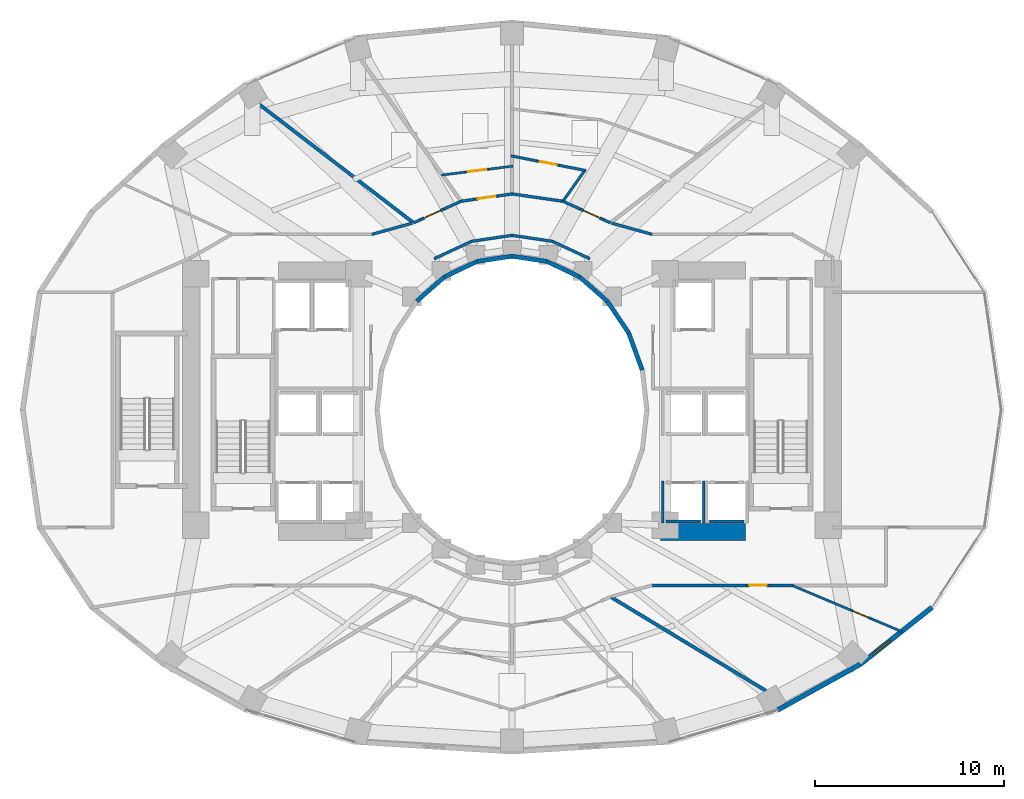
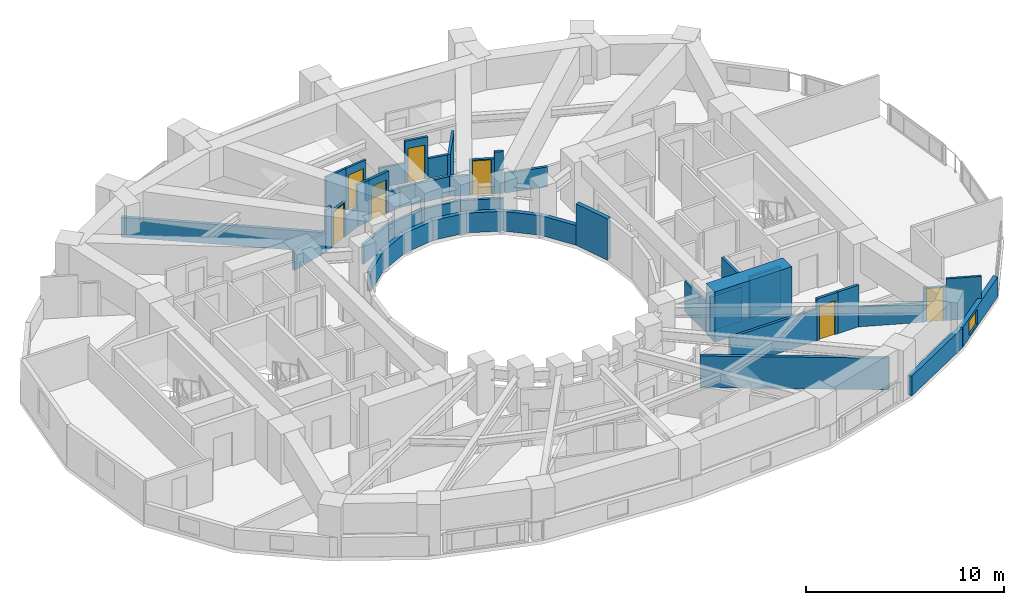
# One storey, part 16 of 22: 46 walls, 7 doors, 1 window, 8 openings.
"""IFC4 building model written with IfcOpenShell, lengths in metres."""

from ifc_helpers import new_model, si_unit, direction, frame, frame_2d, origin, place, context, subcontext, project, spatial, rectangle, extrude, material, layer, layer_set, type_object, element, fill, save


model = new_model("IFC4")

# Units and contexts
model_context = context("Model", 3, precision=1e-05, world=origin(), true_north=direction((0.0, 1.0)))
body_context = subcontext(model_context, "Body", "Model", "MODEL_VIEW")
ifc_project = project(units=[si_unit("LENGTHUNIT", "METRE"), si_unit("AREAUNIT", "SQUARE_METRE"), si_unit("VOLUMEUNIT", "CUBIC_METRE"), si_unit("PLANEANGLEUNIT", "RADIAN"), si_unit("MASSUNIT", "GRAM", prefix="KILO")], contexts=[model_context])

# Site, building, storey
site_placement = place(None, origin())
site = spatial("IfcSite", under=ifc_project, at=site_placement, CompositionType="ELEMENT")
building_placement = place(site_placement, origin())
building = spatial("IfcBuilding", under=site, at=building_placement, Name="Solvane Sanctuary Tower", CompositionType="ELEMENT")
storey_placement = place(building_placement, frame((0.0, 0.0, 43.10009765625)))
storey = spatial("IfcBuildingStorey", under=building, at=storey_placement, Name="L12", CompositionType="ELEMENT", Elevation=43.10009765625)

# Walls
ifc_material_1 = material(Name="Concrete C70/85", Category="concrete")
ifc_layer_1 = layer(ifc_material_1, 0.89990234375, Name="Concrete C70/85")
ifc_layer_set_1 = layer_set([ifc_layer_1], Name="Concrete C70/85")
wall_type_1 = type_object("IfcWallType", Name="Wall W-CORE-900", PredefinedType="SHEAR", material=ifc_layer_set_1)
wall_1_placement = place(storey_placement, frame((39.85009765625, 16.550048828125, 0.0), z_axis=(0.0, 0.0, 1.0), x_axis=(1.0, 0.0, 0.0)))
element("IfcWall", 1, at=wall_1_placement, inside=storey, type_object=wall_type_1, Name="L12 Core Shear Wall EC-S", PredefinedType="SHEAR", context=body_context, shape_type="SweptSolid", body=[
    extrude(rectangle(XDim=4.5, YDim=0.89990234375, at=frame_2d((2.25, 0.0))), origin(), (0.0, 0.0, 1.0), 3.099853515625),
])
ifc_material_2 = material(Name="Acoustic Gypsum Partition Board")
ifc_layer_2 = layer(ifc_material_2, 0.14990234375, Name="Acoustic Gypsum Partition Board")
ifc_layer_set_2 = layer_set([ifc_layer_2], Name="Acoustic Gypsum Partition Board")
wall_type_2 = type_object("IfcWallType", Name="Wall W-CORR-150", PredefinedType="PARTITIONING", material=ifc_layer_set_2)
wall_2_placement = place(storey_placement, frame((36.110107421875, 30.98486328125, 0.0), z_axis=(0.0, 0.0, 1.0), x_axis=(-0.906943449489, 0.421252393975, 0.0)))
element("IfcWall", 2, at=wall_2_placement, inside=storey, type_object=wall_type_2, Name="L12 Light-Well Corridor Rim Wall N1", PredefinedType="PARTITIONING", context=body_context, shape_type="SweptSolid", body=[
    extrude(rectangle(XDim=2.18603515625, YDim=0.14990234375, at=frame_2d((1.093017578125, 0.0))), origin(), (0.0, 0.0, 1.0), 1.219970703125),
])
for number, where, z_axis, x_axis, name in (
    (3, (34.12744140625, 31.90576171875, 0.0), (0.0, 0.0, 1.0), (-0.989268584896, 0.146108408166, 0.0), "L12 Light-Well Corridor Rim Wall N2"),
    (4, (32.0, 32.219970703125, 0.0), (0.0, 0.0, 1.0), (-0.989268584896, -0.146108408166, 0.0), "L12 Light-Well Corridor Rim Wall N3"),
):
    element("IfcWall", number, at=place(storey_placement, frame(where, z_axis=z_axis, x_axis=x_axis)), inside=storey, type_object=wall_type_2, Name=name, PredefinedType="PARTITIONING", context=body_context, shape_type="SweptSolid", body=[
        extrude(rectangle(XDim=2.150634765625, YDim=0.14990234375, at=frame_2d((1.0751953125, 0.0))), origin(), (0.0, 0.0, 1.0), 1.219970703125),
    ])
wall_3_placement = place(storey_placement, frame((29.87255859375, 31.90576171875, 0.0), z_axis=(0.0, 0.0, 1.0), x_axis=(-0.906943449489, -0.421252393975, 0.0)))
element("IfcWall", 5, at=wall_3_placement, inside=storey, type_object=wall_type_2, Name="L12 Light-Well Corridor Rim Wall N4", PredefinedType="PARTITIONING", context=body_context, shape_type="SweptSolid", body=[
    extrude(rectangle(XDim=2.18603515625, YDim=0.14990234375, at=frame_2d((1.093017578125, 0.0))), origin(), (0.0, 0.0, 1.0), 1.219970703125),
])
for number, where, z_axis, x_axis, name in (
    (6, (37.258056640625, 32.86669921875, 0.0), (0.0, 0.0, 1.0), (0.963833843713, -0.266503886865, 0.0), "L12 NE Corner Throat Wall"),
    (7, (26.741943359375, 32.86669921875, 0.0), (0.0, 0.0, 1.0), (-0.963833843713, -0.266503886865, 0.0), "L12 NW Corner Throat Wall"),
):
    element("IfcWall", number, at=place(storey_placement, frame(where, z_axis=z_axis, x_axis=x_axis)), inside=storey, type_object=wall_type_2, Name=name, PredefinedType="PARTITIONING", context=body_context, shape_type="SweptSolid", body=[
        extrude(rectangle(XDim=2.231689453125, YDim=0.14990234375, at=frame_2d((1.11572265625, 0.0))), origin(), (0.0, 0.0, 1.0), 1.219970703125),
    ])
wall_4_placement = place(storey_placement, frame((39.330078125, 13.719970703125, 0.0), z_axis=(0.0, 0.0, 1.0), x_axis=(1.0, 0.0, 0.0)))
element("IfcWall", 8, at=wall_4_placement, inside=storey, type_object=wall_type_2, Name="L12 SE Corner Corridor Wall", PredefinedType="PARTITIONING", context=body_context, shape_type="SweptSolid", body=[
    extrude(rectangle(XDim=5.059814453125, YDim=0.14990234375, at=frame_2d((2.52978515625, 0.0))), origin(), (0.0, 0.0, 1.0), 1.956787109375),
])

# Wall, opening, door
wall_5_placement = place(storey_placement, frame((44.389892578125, 13.719970703125, 0.0), z_axis=(0.0, 0.0, 1.0), x_axis=(1.0, 0.0, 0.0)))
wall_5 = element("IfcWall", 9, at=wall_5_placement, inside=storey, type_object=wall_type_2, Name="L12 SE Corner Corridor Wall", PredefinedType="PARTITIONING", context=body_context, shape_type="SweptSolid", body=[
    extrude(rectangle(XDim=1.22021484375, YDim=0.14990234375, at=frame_2d((0.610107421875, 0.0))), origin(), (0.0, 0.0, 1.0), 2.574951171875),
])
opening_1_placement = place(wall_5_placement, frame((0.159912109375, 0.0, 0.0)))
opening_1 = element("IfcOpeningElement", 10, at=opening_1_placement, cuts=wall_5, Name="Opening D-L12-17", PredefinedType="OPENING", context=body_context, shape_type="SweptSolid", body=[
    extrude(rectangle(XDim=0.89990234375, YDim=2.10009765625, at=frame_2d((0.449951171875, 1.050048828125))), frame((0.0, 0.0849609375, 0.0), z_axis=(0.0, -1.0, 0.0), x_axis=(1.0, 0.0, 0.0)), (0.0, 0.0, 1.0), 0.169921875),
])
ifc_material_3 = material(Name="Engineered Tropical Hardwood", Category="wood")
door_type_1 = type_object("IfcDoorType", Name="Door D-WET-900", OperationType="NOTDEFINED", PredefinedType="DOOR", material=ifc_material_3)
door_1_placement = place(opening_1_placement, origin())
door_1 = element("IfcDoor", 11, at=door_1_placement, inside=storey, type_object=door_type_1, Name="L12 SE Corner Salon Door", OperationType="SINGLE_SWING_LEFT", OverallHeight=2.10009765625, OverallWidth=0.89990234375, PredefinedType="DOOR", context=body_context, shape_type="SweptSolid", body=[
    extrude(rectangle(XDim=0.89990234375, YDim=2.10009765625, at=frame_2d((0.449951171875, 1.050048828125))), frame((0.0, 0.02490234375, 0.0), z_axis=(0.0, -1.0, 0.0), x_axis=(1.0, 0.0, 0.0)), (0.0, 0.0, 1.0), 0.050048828125),
])
fill(opening_1, door_1)

# Walls
wall_6_placement = place(storey_placement, frame((45.610107421875, 13.719970703125, 0.0), z_axis=(0.0, 0.0, 1.0), x_axis=(1.0, 0.0, 0.0)))
element("IfcWall", 12, at=wall_6_placement, inside=storey, type_object=wall_type_2, Name="L12 SE Corner Corridor Wall", PredefinedType="PARTITIONING", context=body_context, shape_type="SweptSolid", body=[
    extrude(rectangle(XDim=1.239990234375, YDim=0.14990234375, at=frame_2d((0.6201171875, 0.0))), origin(), (0.0, 0.0, 1.0), 2.574951171875),
])
wall_7_placement = place(storey_placement, frame((34.743896484375, 34.01416015625, 0.0), z_axis=(0.0, 0.0, 1.0), x_axis=(-0.989761784218, 0.142729150844, 0.0)))
element("IfcWall", 13, at=wall_7_placement, inside=storey, type_object=wall_type_2, Name="L12 En-suite Inner Wall N1", PredefinedType="PARTITIONING", context=body_context, shape_type="SweptSolid", body=[
    extrude(rectangle(XDim=2.822265625, YDim=0.14990234375, at=frame_2d((1.4111328125, 0.0))), origin(), (0.0, 0.0, 1.0), 1.219970703125),
])
wall_8_placement = place(storey_placement, frame((37.211181640625, 32.87744140625, 0.0), z_axis=(0.0, 0.0, 1.0), x_axis=(-0.910580557663, 0.413331644091, 0.0)))
element("IfcWall", 14, at=wall_8_placement, inside=storey, type_object=wall_type_2, Name="L12 Unit Corridor Wall N1", PredefinedType="PARTITIONING", context=body_context, shape_type="SweptSolid", body=[
    extrude(rectangle(XDim=0.468505859375, YDim=0.14990234375, at=frame_2d((0.234375, 0.0))), origin(), (0.0, 0.0, 1.0), 2.574951171875),
])

# Wall, opening, door
wall_9_placement = place(storey_placement, frame((36.78466796875, 33.071044921875, 0.0), z_axis=(0.0, 0.0, 1.0), x_axis=(-0.910491529429, 0.413527719553, 0.0)))
wall_9 = element("IfcWall", 15, at=wall_9_placement, inside=storey, type_object=wall_type_2, Name="L12 Unit Corridor Wall N1", PredefinedType="PARTITIONING", context=body_context, shape_type="SweptSolid", body=[
    extrude(rectangle(XDim=1.27001953125, YDim=0.14990234375, at=frame_2d((0.635009765625, 0.0))), origin(), (0.0, 0.0, 1.0), 2.159912109375),
])
opening_2_placement = place(wall_9_placement, frame((0.159912109375, 0.0, 0.0)))
opening_2 = element("IfcOpeningElement", 16, at=opening_2_placement, cuts=wall_9, Name="Opening D-L12-20", PredefinedType="OPENING", context=body_context, shape_type="SweptSolid", body=[
    extrude(rectangle(XDim=0.949951171875, YDim=2.10009765625, at=frame_2d((0.47509765625, 1.050048828125))), frame((0.0, 0.0849609375, 0.0), z_axis=(0.0, -1.0, 0.0), x_axis=(1.0, 0.0, 0.0)), (0.0, 0.0, 1.0), 0.169921875),
])
door_type_2 = type_object("IfcDoorType", Name="Door D-ROOM-950", OperationType="NOTDEFINED", PredefinedType="DOOR", material=ifc_material_3)
door_2_placement = place(opening_2_placement, origin())
door_2 = element("IfcDoor", 17, at=door_2_placement, inside=storey, type_object=door_type_2, Name="L12 Unit Entrance Door N1", OperationType="SINGLE_SWING_RIGHT", OverallHeight=2.10009765625, OverallWidth=0.949951171875, PredefinedType="DOOR", context=body_context, shape_type="SweptSolid", body=[
    extrude(rectangle(XDim=0.949951171875, YDim=2.10009765625, at=frame_2d((0.47509765625, 1.050048828125))), frame((0.0, 0.02490234375, 0.0), z_axis=(0.0, -1.0, 0.0), x_axis=(1.0, 0.0, 0.0)), (0.0, 0.0, 1.0), 0.050048828125),
])
fill(opening_2, door_2)

# Walls
wall_10_placement = place(storey_placement, frame((35.62841796875, 33.59619140625, 0.0), z_axis=(0.0, 0.0, 1.0), x_axis=(-0.910657491524, 0.413162114831, 0.0)))
element("IfcWall", 18, at=wall_10_placement, inside=storey, type_object=wall_type_2, Name="L12 Unit Corridor Wall N1", PredefinedType="PARTITIONING", context=body_context, shape_type="SweptSolid", body=[
    extrude(rectangle(XDim=1.033447265625, YDim=0.14990234375, at=frame_2d((0.5166015625, 0.0))), origin(), (0.0, 0.0, 1.0), 1.219970703125),
])
wall_11_placement = place(storey_placement, frame((32.00732421875, 34.409912109375, 0.0), z_axis=(0.0, 0.0, 1.0), x_axis=(-0.989795766197, -0.142493302365, 0.0)))
element("IfcWall", 19, at=wall_11_placement, inside=storey, type_object=wall_type_2, Name="L12 Unit Corridor Wall N2", PredefinedType="PARTITIONING", context=body_context, shape_type="SweptSolid", body=[
    extrude(rectangle(XDim=0.7333984375, YDim=0.14990234375, at=frame_2d((0.36669921875, 0.0))), origin(), (0.0, 0.0, 1.0), 1.219970703125),
])

# Wall, opening, door
wall_12_placement = place(storey_placement, frame((31.281494140625, 34.305419921875, 0.0), z_axis=(0.0, 0.0, 1.0), x_axis=(-0.989721405299, -0.14300888047, 0.0)))
wall_12 = element("IfcWall", 20, at=wall_12_placement, inside=storey, type_object=wall_type_2, Name="L12 Unit Corridor Wall N2", PredefinedType="PARTITIONING", context=body_context, shape_type="SweptSolid", body=[
    extrude(rectangle(XDim=1.27001953125, YDim=0.14990234375, at=frame_2d((0.635009765625, 0.0))), origin(), (0.0, 0.0, 1.0), 2.574951171875),
])
opening_3_placement = place(wall_12_placement, frame((0.159912109375, 0.0, 0.0)))
opening_3 = element("IfcOpeningElement", 21, at=opening_3_placement, cuts=wall_12, Name="Opening D-L12-22", PredefinedType="OPENING", context=body_context, shape_type="SweptSolid", body=[
    extrude(rectangle(XDim=0.949951171875, YDim=2.10009765625, at=frame_2d((0.47509765625, 1.050048828125))), frame((0.0, 0.0849609375, 0.0), z_axis=(0.0, -1.0, 0.0), x_axis=(1.0, 0.0, 0.0)), (0.0, 0.0, 1.0), 0.169921875),
])
door_3_placement = place(opening_3_placement, origin())
door_3 = element("IfcDoor", 22, at=door_3_placement, inside=storey, type_object=door_type_2, Name="L12 Unit Entrance Door N2", OperationType="SINGLE_SWING_RIGHT", OverallHeight=2.10009765625, OverallWidth=0.949951171875, PredefinedType="DOOR", context=body_context, shape_type="SweptSolid", body=[
    extrude(rectangle(XDim=0.949951171875, YDim=2.10009765625, at=frame_2d((0.47509765625, 1.050048828125))), frame((0.0, 0.02490234375, 0.0), z_axis=(0.0, -1.0, 0.0), x_axis=(1.0, 0.0, 0.0)), (0.0, 0.0, 1.0), 0.050048828125),
])
fill(opening_3, door_3)

# Walls
wall_13_placement = place(storey_placement, frame((30.0244140625, 34.123779296875, 0.0), z_axis=(0.0, 0.0, 1.0), x_axis=(-0.98974875873, -0.142819447526, 0.0)))
element("IfcWall", 23, at=wall_13_placement, inside=storey, type_object=wall_type_2, Name="L12 Unit Corridor Wall N2", PredefinedType="PARTITIONING", context=body_context, shape_type="SweptSolid", body=[
    extrude(rectangle(XDim=0.7333984375, YDim=0.14990234375, at=frame_2d((0.36669921875, 0.0))), origin(), (0.0, 0.0, 1.0), 2.574951171875),
])
wall_14_placement = place(storey_placement, frame((29.312744140625, 34.023193359375, 0.0), z_axis=(0.0, 0.0, 1.0), x_axis=(-0.910657491524, -0.413162114831, 0.0)))
element("IfcWall", 24, at=wall_14_placement, inside=storey, type_object=wall_type_2, Name="L12 Unit Corridor Wall N3", PredefinedType="PARTITIONING", context=body_context, shape_type="SweptSolid", body=[
    extrude(rectangle(XDim=1.033447265625, YDim=0.14990234375, at=frame_2d((0.5166015625, 0.0))), origin(), (0.0, 0.0, 1.0), 1.219970703125),
])

# Wall, opening, door
wall_15_placement = place(storey_placement, frame((28.37158203125, 33.59619140625, 0.0), z_axis=(0.0, 0.0, 1.0), x_axis=(-0.910491529429, -0.413527719553, 0.0)))
wall_15 = element("IfcWall", 25, at=wall_15_placement, inside=storey, type_object=wall_type_2, Name="L12 Unit Corridor Wall N3", PredefinedType="PARTITIONING", context=body_context, shape_type="SweptSolid", body=[
    extrude(rectangle(XDim=1.27001953125, YDim=0.14990234375, at=frame_2d((0.635009765625, 0.0))), origin(), (0.0, 0.0, 1.0), 2.159912109375),
])
opening_4_placement = place(wall_15_placement, frame((0.159912109375, 0.0, 0.0)))
opening_4 = element("IfcOpeningElement", 26, at=opening_4_placement, cuts=wall_15, Name="Opening D-L12-23", PredefinedType="OPENING", context=body_context, shape_type="SweptSolid", body=[
    extrude(rectangle(XDim=0.949951171875, YDim=2.10009765625, at=frame_2d((0.47509765625, 1.050048828125))), frame((0.0, 0.0849609375, 0.0), z_axis=(0.0, -1.0, 0.0), x_axis=(1.0, 0.0, 0.0)), (0.0, 0.0, 1.0), 0.169921875),
])
door_4_placement = place(opening_4_placement, origin())
door_4 = element("IfcDoor", 27, at=door_4_placement, inside=storey, type_object=door_type_2, Name="L12 Unit Entrance Door N3", OperationType="SINGLE_SWING_LEFT", OverallHeight=2.10009765625, OverallWidth=0.949951171875, PredefinedType="DOOR", context=body_context, shape_type="SweptSolid", body=[
    extrude(rectangle(XDim=0.949951171875, YDim=2.10009765625, at=frame_2d((0.47509765625, 1.050048828125))), frame((0.0, 0.02490234375, 0.0), z_axis=(0.0, -1.0, 0.0), x_axis=(1.0, 0.0, 0.0)), (0.0, 0.0, 1.0), 0.050048828125),
])
fill(opening_4, door_4)

# Walls
wall_16_placement = place(storey_placement, frame((27.21533203125, 33.071044921875, 0.0), z_axis=(0.0, 0.0, 1.0), x_axis=(-0.910580557663, -0.413331644091, 0.0)))
element("IfcWall", 28, at=wall_16_placement, inside=storey, type_object=wall_type_2, Name="L12 Unit Corridor Wall N3", PredefinedType="PARTITIONING", context=body_context, shape_type="SweptSolid", body=[
    extrude(rectangle(XDim=0.468505859375, YDim=0.14990234375, at=frame_2d((0.234375, 0.0))), origin(), (0.0, 0.0, 1.0), 2.574951171875),
])
ifc_material_4 = material(Name="Precast concrete C40/50", Category="concrete")
ifc_layer_3 = layer(ifc_material_4, 0.260009765625, Name="Precast concrete C40/50")
ifc_layer_set_3 = layer_set([ifc_layer_3], Name="Precast concrete C40/50")
wall_type_3 = type_object("IfcWallType", Name="Wall W-EXT-250", PredefinedType="STANDARD", material=ifc_layer_set_3)
wall_17_placement = place(storey_placement, frame((46.0419921875, 7.137939453125, 0.0), z_axis=(0.0, 0.0, 1.0), x_axis=(0.875137303239, 0.483874674352, 0.0)))
element("IfcWall", 29, at=wall_17_placement, inside=storey, type_object=wall_type_3, Name="L12 Ceramic-Printed Facade Wall 20", PredefinedType="STANDARD", context=body_context, shape_type="SweptSolid", body=[
    extrude(rectangle(XDim=4.985107421875, YDim=0.260009765625, at=frame_2d((2.49267578125, 0.0))), origin(), (0.0, 0.0, 1.0), 1.219970703125),
])

# Wall, opening, window
wall_18_placement = place(storey_placement, frame((50.404541015625, 9.550048828125, 0.0), z_axis=(0.0, 0.0, 1.0), x_axis=(0.783123133379, 0.621866672179, 0.0)))
wall_18 = element("IfcWall", 30, at=wall_18_placement, inside=storey, type_object=wall_type_3, Name="L12 Ceramic-Printed Facade Wall 21", PredefinedType="STANDARD", context=body_context, shape_type="SweptSolid", body=[
    extrude(rectangle(XDim=4.838623046875, YDim=0.260009765625, at=frame_2d((2.41943359375, 0.0))), origin(), (0.0, 0.0, 1.0), 1.219970703125),
])
opening_5_placement = place(wall_18_placement, frame((0.819091796875, 0.0, 0.14990234375)))
opening_5 = element("IfcOpeningElement", 31, at=opening_5_placement, cuts=wall_18, Name="Opening WN-OPER-1200", PredefinedType="OPENING", context=body_context, shape_type="SweptSolid", body=[
    extrude(rectangle(XDim=1.199951171875, YDim=0.89990234375, at=frame_2d((0.60009765625, 0.449951171875))), frame((0.0, 0.139892578125, 0.0), z_axis=(0.0, -1.0, 0.0), x_axis=(1.0, 0.0, 0.0)), (0.0, 0.0, 1.0), 0.280029296875),
])
ifc_material_5 = material(Name="Dark Ceramic-Fritted Low-E Glass", Category="glass")
window_type = type_object("IfcWindowType", Name="Window WN-OPER-1200", PartitioningType="SINGLE_PANEL", PredefinedType="WINDOW", material=ifc_material_5)
window_placement = place(opening_5_placement, origin())
window = element("IfcWindow", 32, at=window_placement, inside=storey, type_object=window_type, Name="L12 Operable Facade Window 21", OverallHeight=0.89990234375, OverallWidth=1.199951171875, PartitioningType="SINGLE_PANEL", PredefinedType="WINDOW", context=body_context, shape_type="SweptSolid", body=[
    extrude(rectangle(XDim=1.199951171875, YDim=0.89990234375, at=frame_2d((0.60009765625, 0.449951171875))), frame((0.0, 0.030029296875, 0.0), z_axis=(0.0, -1.0, 0.0), x_axis=(1.0, 0.0, 0.0)), (0.0, 0.0, 1.0), 0.06005859375),
])
fill(opening_5, window)

# Walls
ifc_layer_4 = layer(ifc_material_4, 0.22998046875, Name="Precast concrete C40/50")
ifc_layer_set_4 = layer_set([ifc_layer_4], Name="Precast concrete C40/50")
wall_type_4 = type_object("IfcWallType", Name="Wall W-EXT-SP220", PredefinedType="STANDARD", material=ifc_layer_set_4)
wall_19_placement = place(storey_placement, frame((38.87744140625, 25.1015625, 0.0), z_axis=(0.0, 0.0, 1.0), x_axis=(-0.341423187295, 0.93990968033, 0.0)))
element("IfcWall", 33, at=wall_19_placement, inside=storey, type_object=wall_type_4, Name="L12 Central Light-Well Wall 01", PredefinedType="STANDARD", context=body_context, shape_type="SweptSolid", body=[
    extrude(rectangle(XDim=2.083740234375, YDim=0.22998046875, at=frame_2d((1.0419921875, 0.0))), origin(), (0.0, 0.0, 1.0), 2.559814453125),
])
wall_20_placement = place(storey_placement, frame((38.166015625, 27.06005859375, 0.0), z_axis=(0.0, 0.0, 1.0), x_axis=(-0.558197800898, 0.829707909492, 0.0)))
element("IfcWall", 34, at=wall_20_placement, inside=storey, type_object=wall_type_4, Name="L12 Central Light-Well Wall 02", PredefinedType="STANDARD", context=body_context, shape_type="SweptSolid", body=[
    extrude(rectangle(XDim=2.02685546875, YDim=0.22998046875, at=frame_2d((1.013427734375, 0.0))), origin(), (0.0, 0.0, 1.0), 1.219970703125),
])
wall_21_placement = place(storey_placement, frame((37.03466796875, 28.74169921875, 0.0), z_axis=(0.0, 0.0, 1.0), x_axis=(-0.752576694707, 0.658504607869, 0.0)))
element("IfcWall", 35, at=wall_21_placement, inside=storey, type_object=wall_type_4, Name="L12 Central Light-Well Wall 03", PredefinedType="STANDARD", context=body_context, shape_type="SweptSolid", body=[
    extrude(rectangle(XDim=1.95947265625, YDim=0.22998046875, at=frame_2d((0.979736328125, 0.0))), origin(), (0.0, 0.0, 1.0), 1.219970703125),
])
wall_22_placement = place(storey_placement, frame((35.56005859375, 30.031982421875, 0.0), z_axis=(0.0, 0.0, 1.0), x_axis=(-0.904179699603, 0.427152280606, 0.0)))
element("IfcWall", 36, at=wall_22_placement, inside=storey, type_object=wall_type_4, Name="L12 Central Light-Well Wall 04", PredefinedType="STANDARD", context=body_context, shape_type="SweptSolid", body=[
    extrude(rectangle(XDim=1.899169921875, YDim=0.22998046875, at=frame_2d((0.94970703125, 0.0))), origin(), (0.0, 0.0, 1.0), 1.219970703125),
])
for number, where, z_axis, x_axis, name in (
    (37, (33.8427734375, 30.84326171875, 0.0), (0.0, 0.0, 1.0), (-0.988901730308, 0.148571086668, 0.0), "L12 Central Light-Well Wall 05"),
    (38, (32.0, 31.1201171875, 0.0), (0.0, 0.0, 1.0), (-0.988901730308, -0.148571086668, 0.0), "L12 Central Light-Well Wall 06"),
):
    element("IfcWall", number, at=place(storey_placement, frame(where, z_axis=z_axis, x_axis=x_axis)), inside=storey, type_object=wall_type_4, Name=name, PredefinedType="STANDARD", context=body_context, shape_type="SweptSolid", body=[
        extrude(rectangle(XDim=1.863525390625, YDim=0.22998046875, at=frame_2d((0.931640625, 0.0))), origin(), (0.0, 0.0, 1.0), 1.219970703125),
    ])
wall_23_placement = place(storey_placement, frame((30.1572265625, 30.84326171875, 0.0), z_axis=(0.0, 0.0, 1.0), x_axis=(-0.904179699603, -0.427152280606, 0.0)))
element("IfcWall", 39, at=wall_23_placement, inside=storey, type_object=wall_type_4, Name="L12 Central Light-Well Wall 07", PredefinedType="STANDARD", context=body_context, shape_type="SweptSolid", body=[
    extrude(rectangle(XDim=1.899169921875, YDim=0.22998046875, at=frame_2d((0.94970703125, 0.0))), origin(), (0.0, 0.0, 1.0), 1.219970703125),
])
wall_24_placement = place(storey_placement, frame((28.43994140625, 30.031982421875, 0.0), z_axis=(0.0, 0.0, 1.0), x_axis=(-0.752576694707, -0.658504607869, 0.0)))
element("IfcWall", 40, at=wall_24_placement, inside=storey, type_object=wall_type_4, Name="L12 Central Light-Well Wall 08", PredefinedType="STANDARD", context=body_context, shape_type="SweptSolid", body=[
    extrude(rectangle(XDim=1.95947265625, YDim=0.22998046875, at=frame_2d((0.979736328125, 0.0))), origin(), (0.0, 0.0, 1.0), 1.219970703125),
])
ifc_layer_5 = layer(ifc_material_2, 0.1201171875, Name="Acoustic Gypsum Partition Board")
ifc_layer_set_5 = layer_set([ifc_layer_5], Name="Acoustic Gypsum Partition Board")
wall_type_5 = type_object("IfcWallType", Name="Wall W-MOV-100", PredefinedType="MOVABLE", material=ifc_layer_set_5)
wall_25_placement = place(storey_placement, frame((46.75390625, 13.739501953125, 0.0), z_axis=(0.0, 0.0, 1.0), x_axis=(0.921686848925, -0.387934727136, 0.0)))
element("IfcWall", 41, at=wall_25_placement, inside=storey, type_object=wall_type_5, Name="L12 SE Corner Suite Partition", PredefinedType="MOVABLE", context=body_context, shape_type="SweptSolid", body=[
    extrude(rectangle(XDim=3.39208984375, YDim=0.1201171875, at=frame_2d((1.696044921875, 0.0))), origin(), (0.0, 0.0, 1.0), 1.219970703125),
])

# Wall, opening, door
wall_26_placement = place(storey_placement, frame((49.88037109375, 12.423583984375, 0.0), z_axis=(0.0, 0.0, 1.0), x_axis=(0.92176888, -0.387739773384, 0.0)))
wall_26 = element("IfcWall", 42, at=wall_26_placement, inside=storey, type_object=wall_type_5, Name="L12 SE Corner Suite Partition", PredefinedType="MOVABLE", context=body_context, shape_type="SweptSolid", body=[
    extrude(rectangle(XDim=1.169921875, YDim=0.1201171875, at=frame_2d((0.5849609375, 0.0))), origin(), (0.0, 0.0, 1.0), 2.10986328125),
])
opening_6_placement = place(wall_26_placement, frame((0.159912109375, 0.0, 0.0)))
opening_6 = element("IfcOpeningElement", 43, at=opening_6_placement, cuts=wall_26, Name="Opening D-L12-16", PredefinedType="OPENING", context=body_context, shape_type="SweptSolid", body=[
    extrude(rectangle(XDim=0.85009765625, YDim=2.050048828125, at=frame_2d((0.425048828125, 1.02490234375))), frame((0.0, 0.070068359375, 0.0), z_axis=(0.0, -1.0, 0.0), x_axis=(1.0, 0.0, 0.0)), (0.0, 0.0, 1.0), 0.14013671875),
])
ifc_material_6 = material(Name="Architectural Stainless Steel 316", Category="steel")
door_type_3 = type_object("IfcDoorType", Name="Door D-RISER", OperationType="NOTDEFINED", PredefinedType="DOOR", material=ifc_material_6)
door_5_placement = place(opening_6_placement, origin())
door_5 = element("IfcDoor", 44, at=door_5_placement, inside=storey, type_object=door_type_3, Name="L12 SE Corner Suite Door", OperationType="SINGLE_SWING_RIGHT", OverallHeight=2.050048828125, OverallWidth=0.85009765625, PredefinedType="DOOR", context=body_context, shape_type="SweptSolid", body=[
    extrude(rectangle(XDim=0.85009765625, YDim=2.050048828125, at=frame_2d((0.425048828125, 1.02490234375))), frame((0.0, 0.02490234375, 0.0), z_axis=(0.0, -1.0, 0.0), x_axis=(1.0, 0.0, 0.0)), (0.0, 0.0, 1.0), 0.050048828125),
])
fill(opening_6, door_5)

# Walls
wall_27_placement = place(storey_placement, frame((50.958740234375, 11.969970703125, 0.0), z_axis=(0.0, 0.0, 1.0), x_axis=(0.921694272019, -0.387917090275, 0.0)))
element("IfcWall", 45, at=wall_27_placement, inside=storey, type_object=wall_type_5, Name="L12 SE Corner Suite Partition", PredefinedType="MOVABLE", context=body_context, shape_type="SweptSolid", body=[
    extrude(rectangle(XDim=1.79443359375, YDim=0.1201171875, at=frame_2d((0.897216796875, 0.0))), origin(), (0.0, 0.0, 1.0), 2.574951171875),
])
wall_28_placement = place(storey_placement, frame((32.049560546875, 35.877197265625, 0.0), z_axis=(0.0, 0.0, 1.0), x_axis=(-0.992251181548, -0.124248109512, 0.0)))
element("IfcWall", 46, at=wall_28_placement, inside=storey, type_object=wall_type_5, Name="L12 Suite Sitting Lounge Partition N2", PredefinedType="MOVABLE", context=body_context, shape_type="SweptSolid", body=[
    extrude(rectangle(XDim=1.267333984375, YDim=0.1201171875, at=frame_2d((0.6337890625, 0.0))), origin(), (0.0, 0.0, 1.0), 1.219970703125),
])

# Wall, opening, door
wall_29_placement = place(storey_placement, frame((30.7919921875, 35.7197265625, 0.0), z_axis=(0.0, 0.0, 1.0), x_axis=(-0.992257157897, -0.124200372796, 0.0)))
wall_29 = element("IfcWall", 47, at=wall_29_placement, inside=storey, type_object=wall_type_5, Name="L12 Suite Sitting Lounge Partition N2", PredefinedType="MOVABLE", context=body_context, shape_type="SweptSolid", body=[
    extrude(rectangle(XDim=1.269775390625, YDim=0.1201171875, at=frame_2d((0.634765625, 0.0))), origin(), (0.0, 0.0, 1.0), 2.574951171875),
])
opening_7_placement = place(wall_29_placement, frame((0.159912109375, 0.0, 0.0)))
opening_7 = element("IfcOpeningElement", 48, at=opening_7_placement, cuts=wall_29, Name="Opening D-L12-21", PredefinedType="OPENING", context=body_context, shape_type="SweptSolid", body=[
    extrude(rectangle(XDim=0.949951171875, YDim=2.10009765625, at=frame_2d((0.47509765625, 1.050048828125))), frame((0.0, 0.070068359375, 0.0), z_axis=(0.0, -1.0, 0.0), x_axis=(1.0, 0.0, 0.0)), (0.0, 0.0, 1.0), 0.14013671875),
])
door_6_placement = place(opening_7_placement, origin())
door_6 = element("IfcDoor", 49, at=door_6_placement, inside=storey, type_object=door_type_2, Name="L12 Suite Sitting Lounge Door N2", OperationType="SINGLE_SWING_LEFT", OverallHeight=2.10009765625, OverallWidth=0.949951171875, PredefinedType="DOOR", context=body_context, shape_type="SweptSolid", body=[
    extrude(rectangle(XDim=0.949951171875, YDim=2.10009765625, at=frame_2d((0.47509765625, 1.050048828125))), frame((0.0, 0.02490234375, 0.0), z_axis=(0.0, -1.0, 0.0), x_axis=(1.0, 0.0, 0.0)), (0.0, 0.0, 1.0), 0.050048828125),
])
fill(opening_7, door_6)

# Walls
wall_30_placement = place(storey_placement, frame((29.531982421875, 35.56201171875, 0.0), z_axis=(0.0, 0.0, 1.0), x_axis=(-0.992227415201, -0.124437761642, 0.0)))
element("IfcWall", 50, at=wall_30_placement, inside=storey, type_object=wall_type_5, Name="L12 Suite Sitting Lounge Partition N2", PredefinedType="MOVABLE", context=body_context, shape_type="SweptSolid", body=[
    extrude(rectangle(XDim=1.267333984375, YDim=0.1201171875, at=frame_2d((0.6337890625, 0.0))), origin(), (0.0, 0.0, 1.0), 2.574951171875),
])
ifc_material_7 = material(Name="Concrete C50/60", Category="concrete")
ifc_layer_6 = layer(ifc_material_7, 0.14990234375, Name="Concrete C50/60")
ifc_layer_set_6 = layer_set([ifc_layer_6], Name="Concrete C50/60")
wall_type_6 = type_object("IfcWallType", Name="Wall W-SHAFT-150", PredefinedType="SOLIDWALL", material=ifc_layer_set_6)
wall_31_placement = place(storey_placement, frame((40.139892578125, 17.10009765625, 0.0), z_axis=(0.0, 0.0, 1.0), x_axis=(1.0, 0.0, 0.0)))
element("IfcWall", 51, at=wall_31_placement, inside=storey, type_object=wall_type_6, Name="L12 PL-3 Lift Shaft Wall B", PredefinedType="SOLIDWALL", context=body_context, shape_type="SweptSolid", body=[
    extrude(rectangle(XDim=1.820068359375, YDim=0.14990234375, at=frame_2d((0.91015625, 0.0))), origin(), (0.0, 0.0, 1.0), 2.119873046875),
])
wall_32_placement = place(storey_placement, frame((39.969970703125, 17.02001953125, 0.0), z_axis=(0.0, 0.0, 1.0), x_axis=(0.0, 1.0, 0.0)))
element("IfcWall", 52, at=wall_32_placement, inside=storey, type_object=wall_type_6, Name="L12 PL-3 Lift Shaft Wall S1", PredefinedType="SOLIDWALL", context=body_context, shape_type="SweptSolid", body=[
    extrude(rectangle(XDim=2.219970703125, YDim=0.14990234375, at=frame_2d((1.10986328125, 0.0))), origin(), (0.0, 0.0, 1.0), 1.872802734375),
])
wall_33_placement = place(storey_placement, frame((42.1298828125, 17.02001953125, 0.0), z_axis=(0.0, 0.0, 1.0), x_axis=(0.0, 1.0, 0.0)))
element("IfcWall", 53, at=wall_33_placement, inside=storey, type_object=wall_type_6, Name="L12 PL-3 Lift Shaft Wall S2", PredefinedType="SOLIDWALL", context=body_context, shape_type="SweptSolid", body=[
    extrude(rectangle(XDim=2.219970703125, YDim=0.14990234375, at=frame_2d((1.10986328125, 0.0))), origin(), (0.0, 0.0, 1.0), 2.574951171875),
])
wall_34_placement = place(storey_placement, frame((42.43994140625, 17.10009765625, 0.0), z_axis=(0.0, 0.0, 1.0), x_axis=(1.0, 0.0, 0.0)))
element("IfcWall", 54, at=wall_34_placement, inside=storey, type_object=wall_type_6, Name="L12 PL-4 Lift Shaft Wall B", PredefinedType="SOLIDWALL", context=body_context, shape_type="SweptSolid", body=[
    extrude(rectangle(XDim=1.820068359375, YDim=0.14990234375, at=frame_2d((0.91015625, 0.0))), origin(), (0.0, 0.0, 1.0), 2.574951171875),
])
ifc_layer_7 = layer(ifc_material_2, 0.179931640625, Name="Acoustic Gypsum Partition Board")
ifc_layer_set_7 = layer_set([ifc_layer_7], Name="Acoustic Gypsum Partition Board")
wall_type_7 = type_object("IfcWallType", Name="Wall W-UNIT-180", PredefinedType="PARTITIONING", material=ifc_layer_set_7)
wall_35_placement = place(storey_placement, frame((26.75146484375, 32.914794921875, 0.0), z_axis=(0.0, 0.0, 1.0), x_axis=(-0.793181014702, 0.608985942298, 0.0)))
element("IfcWall", 55, at=wall_35_placement, inside=storey, type_object=wall_type_7, Name="L12 Radial Compartment Wall 120", PredefinedType="PARTITIONING", context=body_context, shape_type="SweptSolid", body=[
    extrude(rectangle(XDim=10.323974609375, YDim=0.179931640625, at=frame_2d((5.162109375, 0.0))), origin(), (0.0, 0.0, 1.0), 1.219970703125),
])
wall_36_placement = place(storey_placement, frame((37.252197265625, 13.090087890625, 0.0), z_axis=(0.0, 0.0, 1.0), x_axis=(0.855817136021, -0.517278483694, 0.0)))
element("IfcWall", 56, at=wall_36_placement, inside=storey, type_object=wall_type_7, Name="L12 Radial Compartment Wall 300", PredefinedType="PARTITIONING", context=body_context, shape_type="SweptSolid", body=[
    extrude(rectangle(XDim=9.56396484375, YDim=0.179931640625, at=frame_2d((4.781982421875, 0.0))), origin(), (0.0, 0.0, 1.0), 1.956787109375),
])
ifc_layer_8 = layer(ifc_material_2, 0.139892578125, Name="Acoustic Gypsum Partition Board")
ifc_layer_set_8 = layer_set([ifc_layer_8], Name="Acoustic Gypsum Partition Board")
wall_type_8 = type_object("IfcWallType", Name="Wall W-WET-140", PredefinedType="PLUMBINGWALL", material=ifc_layer_set_8)
wall_37_placement = place(storey_placement, frame((34.665283203125, 33.98046875, 0.0), z_axis=(0.0, 0.0, 1.0), x_axis=(0.577139575342, 0.816645523207, 0.0)))
element("IfcWall", 57, at=wall_37_placement, inside=storey, type_object=wall_type_8, Name="L12 En-suite Side Partition N1", PredefinedType="PLUMBINGWALL", context=body_context, shape_type="SweptSolid", body=[
    extrude(rectangle(XDim=2.099853515625, YDim=0.139892578125, at=frame_2d((1.0498046875, 0.0))), origin(), (0.0, 0.0, 1.0), 2.574951171875),
])
wall_38_placement = place(storey_placement, frame((35.8974609375, 35.64501953125, 0.0), z_axis=(0.0, 0.0, 1.0), x_axis=(-0.981284705137, 0.192562528712, 0.0)))
element("IfcWall", 58, at=wall_38_placement, inside=storey, type_object=wall_type_8, Name="L12 En-suite Bedroom Wall N1", PredefinedType="PLUMBINGWALL", context=body_context, shape_type="SweptSolid", body=[
    extrude(rectangle(XDim=1.40087890625, YDim=0.139892578125, at=frame_2d((0.700439453125, 0.0))), origin(), (0.0, 0.0, 1.0), 1.219970703125),
])

# Wall, opening, door
wall_39_placement = place(storey_placement, frame((34.522705078125, 35.914794921875, 0.0), z_axis=(0.0, 0.0, 1.0), x_axis=(-0.981252199958, 0.192728098829, 0.0)))
wall_39 = element("IfcWall", 59, at=wall_39_placement, inside=storey, type_object=wall_type_8, Name="L12 En-suite Bedroom Wall N1", PredefinedType="PLUMBINGWALL", context=body_context, shape_type="SweptSolid", body=[
    extrude(rectangle(XDim=1.219970703125, YDim=0.139892578125, at=frame_2d((0.60986328125, 0.0))), origin(), (0.0, 0.0, 1.0), 2.574951171875),
])
opening_8_placement = place(wall_39_placement, frame((0.159912109375, 0.0, 0.0)))
opening_8 = element("IfcOpeningElement", 60, at=opening_8_placement, cuts=wall_39, Name="Opening D-L12-19", PredefinedType="OPENING", context=body_context, shape_type="SweptSolid", body=[
    extrude(rectangle(XDim=0.89990234375, YDim=2.10009765625, at=frame_2d((0.449951171875, 1.050048828125))), frame((0.0, 0.079833984375, 0.0), z_axis=(0.0, -1.0, 0.0), x_axis=(1.0, 0.0, 0.0)), (0.0, 0.0, 1.0), 0.159912109375),
])
door_7_placement = place(opening_8_placement, origin())
door_7 = element("IfcDoor", 61, at=door_7_placement, inside=storey, type_object=door_type_1, Name="L12 En-suite Bathroom Door N1", OperationType="SINGLE_SWING_LEFT", OverallHeight=2.10009765625, OverallWidth=0.89990234375, PredefinedType="DOOR", context=body_context, shape_type="SweptSolid", body=[
    extrude(rectangle(XDim=0.89990234375, YDim=2.10009765625, at=frame_2d((0.449951171875, 1.050048828125))), frame((0.0, 0.02490234375, 0.0), z_axis=(0.0, -1.0, 0.0), x_axis=(1.0, 0.0, 0.0)), (0.0, 0.0, 1.0), 0.050048828125),
])
fill(opening_8, door_7)

# Wall
wall_40_placement = place(storey_placement, frame((33.32568359375, 36.14990234375, 0.0), z_axis=(0.0, 0.0, 1.0), x_axis=(-0.981284705137, 0.192562528712, 0.0)))
element("IfcWall", 62, at=wall_40_placement, inside=storey, type_object=wall_type_8, Name="L12 En-suite Bedroom Wall N1", PredefinedType="PLUMBINGWALL", context=body_context, shape_type="SweptSolid", body=[
    extrude(rectangle(XDim=1.40087890625, YDim=0.139892578125, at=frame_2d((0.700439453125, 0.0))), origin(), (0.0, 0.0, 1.0), 1.219970703125),
])

save(model, "model.ifc")
